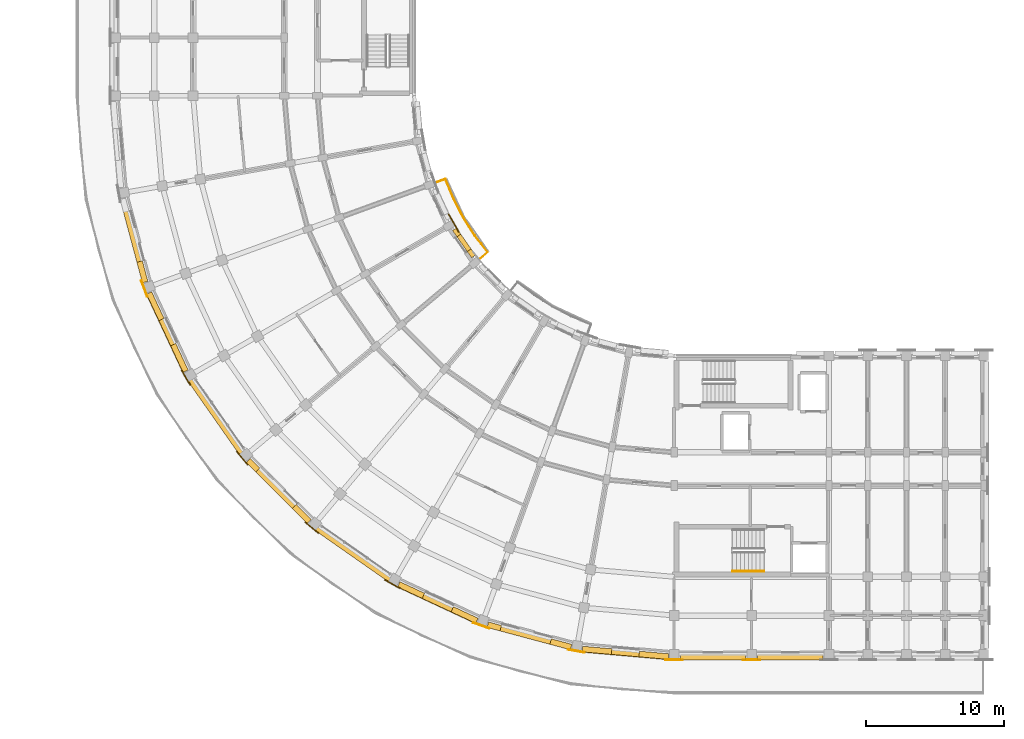
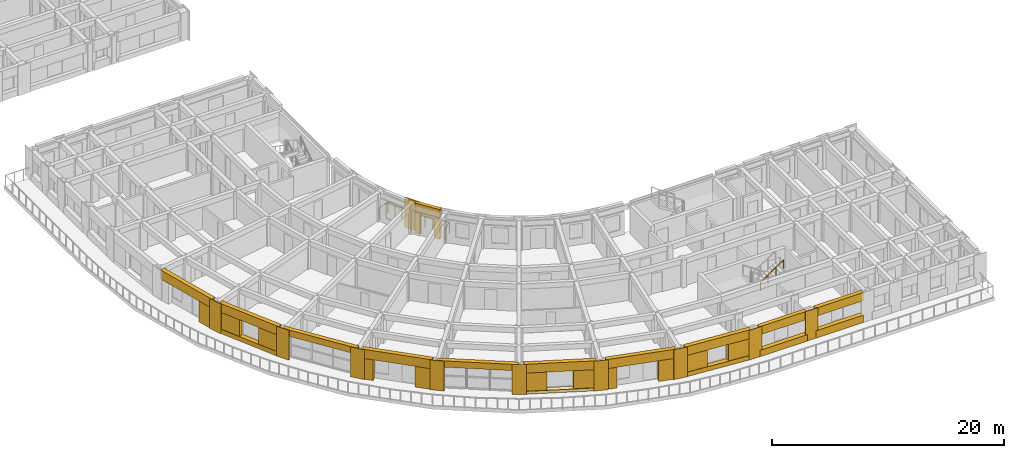
# One storey, part 39 of 57: 39 coverings, 2 railings.
"""IFC4 building model written with IfcOpenShell, lengths in metres."""

import ifcopenshell
import ifcopenshell.guid

model = None  # the IFC model being written
_history = None  # IfcOwnerHistory: only IFC2X3 demands one
_inside = {}  # id of a spatial element -> (the spatial element, [elements in it])
_under = {}  # id of a project, library or spatial element -> (it, [spatial elements below it])
_declared = {}  # id of a project -> (the project, [libraries it declares])
_typed = {}  # id of a type object -> (the type object, [elements of that type])
_made_of = {}  # id of a material, layer set ... -> (it, [elements and type objects made of it])


def new_model(schema):
    """Start an empty IFC model of exactly this schema.

    Asked for "IFC4X3", IfcOpenShell would pick the latest addendum, in which some entities
    have other attributes; the version numbers below select the first issue.
    IFC2X3 requires an IfcOwnerHistory on every rooted entity: one is made here for all.
    """
    global model, _history
    if schema == "IFC4X3":
        model = ifcopenshell.file(schema_version=(4, 3, 0, 0))
    else:
        model = ifcopenshell.file(schema=schema)
    _inside.clear()
    _under.clear()
    _declared.clear()
    _typed.clear()
    _made_of.clear()
    _history = None
    if model.schema == "IFC2X3":
        org = make("IfcOrganization", Name="unknown")
        user = make(
            "IfcPersonAndOrganization",
            ThePerson=make("IfcPerson", FamilyName="unknown"),
            TheOrganization=org,
        )
        app = make(
            "IfcApplication",
            ApplicationDeveloper=org,
            Version="unknown",
            ApplicationFullName="unknown",
            ApplicationIdentifier="unknown",
        )
        _history = make(
            "IfcOwnerHistory",
            OwningUser=user,
            OwningApplication=app,
            ChangeAction="ADDED",
            CreationDate=0,
        )
    return model


def make(cls, **values):
    """One entity of the class cls with the attributes given. An attribute that is None is left unset."""
    return model.create_entity(
        cls, **{name: value for name, value in values.items() if value is not None}
    )


def rooted(cls, **values):
    """An entity with a GlobalId (a new one), such as an element, a storey or a relation."""
    return make(cls, GlobalId=ifcopenshell.guid.new(), OwnerHistory=_history, **values)


def si_unit(unit_type, name, prefix=None):
    """IfcSIUnit, for example si_unit("LENGTHUNIT", "METRE", prefix="MILLI")."""
    return make("IfcSIUnit", UnitType=unit_type, Prefix=prefix, Name=name)


def assignment(units):
    """IfcUnitAssignment: the units of a project."""
    return None if units is None else make("IfcUnitAssignment", Units=units)


def point(xyz):
    """IfcCartesianPoint."""
    return None if xyz is None else make("IfcCartesianPoint", Coordinates=xyz)


def direction(xyz):
    """IfcDirection."""
    return None if xyz is None else make("IfcDirection", DirectionRatios=xyz)


def frame(location, z_axis=None, x_axis=None):
    """IfcAxis2Placement3D, a coordinate frame: its origin and axes. An axis left out is left unset."""
    return make(
        "IfcAxis2Placement3D",
        Location=point(location),
        Axis=direction(z_axis),
        RefDirection=direction(x_axis),
    )


def frame_2d(location, x_axis=None):
    """IfcAxis2Placement2D, a coordinate frame in the plane: its origin and x axis."""
    return make(
        "IfcAxis2Placement2D", Location=point(location), RefDirection=direction(x_axis)
    )


def origin():
    """The frame at (0, 0, 0) with its axes left unset."""
    return frame((0.0, 0.0, 0.0))


def origin_2d():
    """The frame at (0, 0) in the plane with its x axis left unset."""
    return frame_2d((0.0, 0.0))


def place(relative_to, where):
    """IfcLocalPlacement: puts the frame where relative to a parent placement (None: the world)."""
    return make(
        "IfcLocalPlacement", PlacementRelTo=relative_to, RelativePlacement=where
    )


def context(
    kind, dimensions, precision=None, world=None, true_north=None, identifier=None
):
    """IfcGeometricRepresentationContext, for example the 3D "Model" context."""
    return make(
        "IfcGeometricRepresentationContext",
        ContextIdentifier=identifier,
        ContextType=kind,
        CoordinateSpaceDimension=dimensions,
        Precision=precision,
        WorldCoordinateSystem=world,
        TrueNorth=true_north,
    )


def subcontext(parent, identifier, kind, view, scale=None):
    """IfcGeometricRepresentationSubContext, for example "Body" below "Model"."""
    return make(
        "IfcGeometricRepresentationSubContext",
        ContextIdentifier=identifier,
        ContextType=kind,
        ParentContext=parent,
        TargetScale=scale,
        TargetView=view,
    )


def project(units=None, contexts=None):
    """IfcProject with its units and contexts."""
    return rooted(
        "IfcProject",
        Name="project",
        RepresentationContexts=contexts,
        UnitsInContext=assignment(units),
    )


def spatial(cls, under=None, at=None, **own):
    """A site, building, storey or space (cls), placed at a placement, below another one or the project."""
    s = rooted(cls, ObjectPlacement=at, **own)
    if under is not None:
        _under.setdefault(under.id(), (under, []))[1].append(s)
    return s


def polyline(points):
    """IfcPolyline through the points."""
    return make("IfcPolyline", Points=[point(p) for p in points])


def profile(cls, at=None, kind="AREA", **sizes):
    """A parametric profile (cls). Its sizes go by their IFC names, for example OverallWidth=200.0."""
    return make(cls, ProfileType=kind, Position=at, **sizes)


def circle(**sizes):
    """IfcCircleProfileDef."""
    return profile("IfcCircleProfileDef", **sizes)


def outline(outer, holes=None, kind="AREA"):
    """IfcArbitraryClosedProfileDef: a profile drawn as a closed curve; with holes, ...WithVoids."""
    if holes is None:
        return make("IfcArbitraryClosedProfileDef", ProfileType=kind, OuterCurve=outer)
    return make(
        "IfcArbitraryProfileDefWithVoids",
        ProfileType=kind,
        OuterCurve=outer,
        InnerCurves=holes,
    )


def extrude(swept, where, along, depth):
    """IfcExtrudedAreaSolid: the profile swept, set in the frame where, extruded along a direction by depth."""
    return make(
        "IfcExtrudedAreaSolid",
        SweptArea=swept,
        Position=where,
        ExtrudedDirection=direction(along),
        Depth=depth,
    )


def shape(context_of_items, identifier, shape_type, items):
    """IfcShapeRepresentation: the items that make up one representation, for example the "Body"."""
    return make(
        "IfcShapeRepresentation",
        ContextOfItems=context_of_items,
        RepresentationIdentifier=identifier,
        RepresentationType=shape_type,
        Items=items,
    )


def material(Name=None, Category=None):
    """IfcMaterial."""
    return make("IfcMaterial", Name=Name, Category=Category)


def layer(
    of_material, thickness, ventilated=None, Name=None, Category=None, Priority=None
):
    """IfcMaterialLayer: one layer of a wall or slab, of a material (None: an air gap)."""
    return make(
        "IfcMaterialLayer",
        Material=of_material,
        LayerThickness=thickness,
        IsVentilated=ventilated,
        Name=Name,
        Category=Category,
        Priority=Priority,
    )


def layer_set(layers, Name=None):
    """IfcMaterialLayerSet."""
    return make("IfcMaterialLayerSet", MaterialLayers=layers, LayerSetName=Name)


def made_of(thing, what):
    """Note that an element or type object is made of a material, layer set ...; save() writes the relation."""
    if what is not None:
        _made_of.setdefault(what.id(), (what, []))[1].append(thing)
    return thing


def type_object(cls, material=None, **own):
    """A type object (cls), such as IfcWallType, which elements share."""
    return made_of(rooted(cls, **own), material)


def element(
    cls,
    number,
    at=None,
    inside=None,
    cuts=None,
    type_object=None,
    material=None,
    context=None,
    identifier="Body",
    shape_type=None,
    held_by="IfcProductDefinitionShape",
    body=None,
    shapes=None,
    **own,
):
    """One element of the class cls, such as IfcWall. Its Tag is "e" and its number.

    at: its placement. inside: the storey or other place that contains it. cuts: it is an
    opening in that element (IfcRelVoidsElement). A single representation is given by context,
    identifier, shape_type and body (its items); several are given by shapes. held_by: the class
    of the entity that holds the representations. save() writes the other relations.
    """
    e = rooted(cls, Tag="e%d" % number, ObjectPlacement=at, **own)
    if body is not None:
        shapes = [shape(context, identifier, shape_type, body)]
    if shapes is not None:
        e.Representation = make(held_by, Representations=shapes)
    if inside is not None:
        _inside.setdefault(inside.id(), (inside, []))[1].append(e)
    if cuts is not None:
        rooted(
            "IfcRelVoidsElement", RelatingBuildingElement=cuts, RelatedOpeningElement=e
        )
    if type_object is not None:
        _typed.setdefault(type_object.id(), (type_object, []))[1].append(e)
    return made_of(e, material)


def aggregate(whole, parts):
    """IfcRelAggregates: a whole, such as a stair, and the parts it consists of."""
    return rooted("IfcRelAggregates", RelatingObject=whole, RelatedObjects=parts)


def save(model, path):
    """Write the relations noted so far, then the file.

    IfcRelAggregates (storeys below a building ...), IfcRelContainedInSpatialStructure (elements
    in a storey), IfcRelDefinesByType, IfcRelAssociatesMaterial and IfcRelDeclares: one each for
    every whole, place, type object, material and project.
    """
    for whole, parts in _under.values():
        aggregate(whole, parts)
    for where, things in _inside.values():
        rooted(
            "IfcRelContainedInSpatialStructure",
            RelatedElements=things,
            RelatingStructure=where,
        )
    for kind, things in _typed.values():
        rooted("IfcRelDefinesByType", RelatedObjects=things, RelatingType=kind)
    for what, things in _made_of.values():
        rooted("IfcRelAssociatesMaterial", RelatedObjects=things, RelatingMaterial=what)
    for by, libraries in _declared.values():
        rooted("IfcRelDeclares", RelatingContext=by, RelatedDefinitions=libraries)
    model.write(path)


model = new_model("IFC4")

# Units and contexts
model_context = context("Model", 3, precision=1e-05, world=origin(), true_north=direction((0.0, 1.0)))
body_context = subcontext(model_context, "Body", "Model", "MODEL_VIEW")
ifc_project = project(units=[si_unit("LENGTHUNIT", "METRE"), si_unit("AREAUNIT", "SQUARE_METRE"), si_unit("VOLUMEUNIT", "CUBIC_METRE"), si_unit("PLANEANGLEUNIT", "RADIAN"), si_unit("MASSUNIT", "GRAM", prefix="KILO")], contexts=[model_context])

# Site, building, storey
site_placement = place(None, origin())
site = spatial("IfcSite", under=ifc_project, at=site_placement, CompositionType="ELEMENT")
building_placement = place(site_placement, origin())
building = spatial("IfcBuilding", under=site, at=building_placement, Name="Kiranvali Square Residences", CompositionType="ELEMENT")
storey_placement = place(building_placement, frame((0.0, 0.0, 24.449951171875)))
storey = spatial("IfcBuildingStorey", under=building, at=storey_placement, Name="L07", CompositionType="ELEMENT", Elevation=24.449951171875)

# Coverings
ifc_material_1 = material(Name="Honed Porbandar limestone ashlar facade cladding", Category="masonry")
ifc_layer_1 = layer(ifc_material_1, 0.3798828125)
ifc_layer_set_1 = layer_set([ifc_layer_1], Name="Honed Porbandar limestone ashlar facade cladding")
covering_type_1 = type_object("IfcCoveringType", Name="COV-CLAD-JAMB", PredefinedType="CLADDING", material=ifc_layer_set_1)
covering_1_placement = place(storey_placement, frame((0.0, 0.0, 0.462158203125)))
element("IfcCovering", 1, at=covering_1_placement, inside=storey, type_object=covering_type_1, Name="L07 deep limestone window jamb reveal C-L07-CRV-00.L", PredefinedType="CLADDING", context=body_context, shape_type="SweptSolid", body=[
    extrude(outline(polyline([(47.801513671875, 7.83447265625), (45.6884765625, 8.019287109375), (45.65283203125, 7.611328125), (47.765869140625, 7.426513671875), (47.801513671875, 7.83447265625)])), origin(), (0.0, 0.0, 1.0), 1.75),
])
covering_2_placement = place(storey_placement, frame((0.0, 0.0, 0.462158203125)))
element("IfcCovering", 2, at=covering_2_placement, inside=storey, type_object=covering_type_1, Name="L07 deep limestone window jamb reveal C-L07-CRV-00.R", PredefinedType="CLADDING", context=body_context, shape_type="SweptSolid", body=[
    extrude(outline(polyline([(43.696044921875, 8.193603515625), (41.5830078125, 8.37841796875), (41.54736328125, 7.970458984375), (43.660400390625, 7.78564453125), (43.696044921875, 8.193603515625)])), origin(), (0.0, 0.0, 1.0), 1.75),
])
covering_3_placement = place(storey_placement, origin())
element("IfcCovering", 3, at=covering_3_placement, inside=storey, type_object=covering_type_1, Name="L07 deep limestone window jamb reveal C-L07-CRV-01.L", PredefinedType="CLADDING", context=body_context, shape_type="SweptSolid", body=[
    extrude(outline(polyline([(40.798095703125, 8.516845703125), (39.315673828125, 8.9140625), (39.209716796875, 8.5185546875), (40.692138671875, 8.121337890625), (40.798095703125, 8.516845703125)])), origin(), (0.0, 0.0, 1.0), 2.179931640625),
])
covering_4_placement = place(storey_placement, origin())
element("IfcCovering", 4, at=covering_4_placement, inside=storey, type_object=covering_type_1, Name="L07 deep limestone window jamb reveal C-L07-CRV-01.R", PredefinedType="CLADDING", context=body_context, shape_type="SweptSolid", body=[
    extrude(outline(polyline([(35.70849609375, 9.880615234375), (34.7685546875, 10.13232421875), (34.66259765625, 9.73681640625), (35.6025390625, 9.485107421875), (35.70849609375, 9.880615234375)])), origin(), (0.0, 0.0, 1.0), 2.179931640625),
])
covering_5_placement = place(storey_placement, frame((0.0, 0.0, 0.31201171875)))
element("IfcCovering", 5, at=covering_5_placement, inside=storey, type_object=covering_type_1, Name="L07 deep limestone window jamb reveal C-L07-CRV-02.L", PredefinedType="CLADDING", context=body_context, shape_type="SweptSolid", body=[
    extrude(outline(polyline([(34.01953125, 10.405029296875), (32.233154296875, 11.238037109375), (32.06005859375, 10.866943359375), (33.8466796875, 10.033935546875), (34.01953125, 10.405029296875)])), origin(), (0.0, 0.0, 1.0), 1.900146484375),
])
covering_6_placement = place(storey_placement, frame((0.0, 0.0, 0.31201171875)))
element("IfcCovering", 6, at=covering_6_placement, inside=storey, type_object=covering_type_1, Name="L07 deep limestone window jamb reveal C-L07-CRV-02.R", PredefinedType="CLADDING", context=body_context, shape_type="SweptSolid", body=[
    extrude(outline(polyline([(30.148681640625, 12.2099609375), (28.3623046875, 13.04296875), (28.189208984375, 12.671875), (29.9755859375, 11.8388671875), (30.148681640625, 12.2099609375)])), origin(), (0.0, 0.0, 1.0), 1.900146484375),
])
covering_7_placement = place(storey_placement, origin())
element("IfcCovering", 7, at=covering_7_placement, inside=storey, type_object=covering_type_1, Name="L07 deep limestone window jamb reveal C-L07-CRV-04.L", PredefinedType="CLADDING", context=body_context, shape_type="SweptSolid", body=[
    extrude(outline(polyline([(21.9482421875, 17.5341796875), (20.863037109375, 18.61962890625), (20.573486328125, 18.330078125), (21.65869140625, 17.24462890625), (21.9482421875, 17.5341796875)])), origin(), (0.0, 0.0, 1.0), 2.179931640625),
])
covering_8_placement = place(storey_placement, origin())
element("IfcCovering", 8, at=covering_8_placement, inside=storey, type_object=covering_type_1, Name="L07 deep limestone window jamb reveal C-L07-CRV-04.R", PredefinedType="CLADDING", context=body_context, shape_type="SweptSolid", body=[
    extrude(outline(polyline([(18.22216796875, 21.26025390625), (17.5341796875, 21.9482421875), (17.24462890625, 21.65869140625), (17.9326171875, 20.970703125), (18.22216796875, 21.26025390625)])), origin(), (0.0, 0.0, 1.0), 2.179931640625),
])
covering_9_placement = place(storey_placement, frame((0.0, 0.0, 0.462158203125)))
element("IfcCovering", 9, at=covering_9_placement, inside=storey, type_object=covering_type_1, Name="L07 deep limestone window jamb reveal C-L07-CRV-06.L", PredefinedType="CLADDING", context=body_context, shape_type="SweptSolid", body=[
    extrude(outline(polyline([(13.04296875, 28.3623046875), (12.146728515625, 30.28466796875), (11.775634765625, 30.111572265625), (12.671875, 28.189208984375), (13.04296875, 28.3623046875)])), origin(), (0.0, 0.0, 1.0), 1.75),
])
covering_10_placement = place(storey_placement, frame((0.0, 0.0, 0.462158203125)))
element("IfcCovering", 10, at=covering_10_placement, inside=storey, type_object=covering_type_1, Name="L07 deep limestone window jamb reveal C-L07-CRV-06.R", PredefinedType="CLADDING", context=body_context, shape_type="SweptSolid", body=[
    extrude(outline(polyline([(11.301513671875, 32.09716796875), (10.405029296875, 34.01953125), (10.033935546875, 33.8466796875), (10.93017578125, 31.92431640625), (11.301513671875, 32.09716796875)])), origin(), (0.0, 0.0, 1.0), 1.75),
])
covering_11_placement = place(storey_placement, origin())
element("IfcCovering", 11, at=covering_11_placement, inside=storey, type_object=covering_type_1, Name="L07 deep limestone window jamb reveal C-L07-CRV-07.L", PredefinedType="CLADDING", context=body_context, shape_type="SweptSolid", body=[
    extrude(outline(polyline([(10.13232421875, 34.7685546875), (9.735107421875, 36.251220703125), (9.339599609375, 36.14501953125), (9.73681640625, 34.66259765625), (10.13232421875, 34.7685546875)])), origin(), (0.0, 0.0, 1.0), 2.179931640625),
])
covering_12_placement = place(storey_placement, origin())
element("IfcCovering", 12, at=covering_12_placement, inside=storey, type_object=covering_type_1, Name="L07 deep limestone window jamb reveal C-L07-GDN-05.L", PredefinedType="CLADDING", context=body_context, shape_type="SweptSolid", body=[
    extrude(outline(polyline([(33.824462890625, 36.671142578125), (33.509765625, 37.120361328125), (33.231689453125, 36.925537109375), (33.54638671875, 36.476318359375), (33.824462890625, 36.671142578125)])), origin(), (0.0, 0.0, 1.0), 2.179931640625),
])
covering_13_placement = place(storey_placement, origin())
element("IfcCovering", 13, at=covering_13_placement, inside=storey, type_object=covering_type_1, Name="L07 deep limestone window jamb reveal C-L07-GDN-05.R", PredefinedType="CLADDING", context=body_context, shape_type="SweptSolid", body=[
    extrude(outline(polyline([(32.76416015625, 38.185302734375), (32.44970703125, 38.634521484375), (32.171630859375, 38.43994140625), (32.486083984375, 37.990478515625), (32.76416015625, 38.185302734375)])), origin(), (0.0, 0.0, 1.0), 2.179931640625),
])
ifc_layer_2 = layer(ifc_material_1, 0.06494140625)
ifc_layer_set_2 = layer_set([ifc_layer_2], Name="Honed Porbandar limestone ashlar facade cladding")
covering_type_2 = type_object("IfcCoveringType", Name="COV-CLAD-PIER", PredefinedType="CLADDING", material=ifc_layer_set_2)
covering_14_placement = place(storey_placement, frame((0.0, 0.0, 0.005126953125)))
element("IfcCovering", 14, at=covering_14_placement, inside=storey, type_object=covering_type_2, Name="L07 Classical limestone corner pilaster CLAD-PR-C-L07-A00", PredefinedType="CLADDING", context=body_context, shape_type="SweptSolid", body=[
    extrude(outline(polyline([(47.570068359375, 7.382080078125), (48.830078125, 7.382080078125), (48.830078125, 7.449462890625), (47.570068359375, 7.449462890625), (47.570068359375, 7.382080078125)])), origin(), (0.0, 0.0, 1.0), 3.139892578125),
])
covering_15_placement = place(storey_placement, frame((0.0, 0.0, 0.005126953125)))
element("IfcCovering", 15, at=covering_15_placement, inside=storey, type_object=covering_type_2, Name="L07 Classical limestone corner pilaster CLAD-PR-C-L07-A01", PredefinedType="CLADDING", context=body_context, shape_type="SweptSolid", body=[
    extrude(outline(polyline([(40.49169921875, 8.111572265625), (41.732421875, 7.892822265625), (41.744140625, 7.959228515625), (40.50341796875, 8.177978515625), (40.49169921875, 8.111572265625)])), origin(), (0.0, 0.0, 1.0), 3.139892578125),
])
covering_16_placement = place(storey_placement, frame((0.0, 0.0, 0.005126953125)))
element("IfcCovering", 16, at=covering_16_placement, inside=storey, type_object=covering_type_2, Name="L07 Classical limestone corner pilaster CLAD-PR-C-L07-A02", PredefinedType="CLADDING", context=body_context, shape_type="SweptSolid", body=[
    extrude(outline(polyline([(33.6474609375, 10.05908203125), (34.83154296875, 9.628173828125), (34.8544921875, 9.691650390625), (33.67041015625, 10.12255859375), (33.6474609375, 10.05908203125)])), origin(), (0.0, 0.0, 1.0), 3.139892578125),
])
covering_17_placement = place(storey_placement, frame((0.0, 0.0, 0.005126953125)))
element("IfcCovering", 17, at=covering_17_placement, inside=storey, type_object=covering_type_2, Name="L07 Classical limestone corner pilaster CLAD-PR-C-L07-A03", PredefinedType="CLADDING", context=body_context, shape_type="SweptSolid", body=[
    extrude(outline(polyline([(27.245361328125, 13.16552734375), (28.336669921875, 12.53564453125), (28.370361328125, 12.593994140625), (27.279052734375, 13.22412109375), (27.245361328125, 13.16552734375)])), origin(), (0.0, 0.0, 1.0), 3.139892578125),
])
covering_18_placement = place(storey_placement, frame((0.0, 0.0, 0.005126953125)))
element("IfcCovering", 18, at=covering_18_placement, inside=storey, type_object=covering_type_2, Name="L07 Classical limestone corner pilaster CLAD-PR-C-L07-A04", PredefinedType="CLADDING", context=body_context, shape_type="SweptSolid", body=[
    extrude(outline(polyline([(21.47998046875, 17.336669921875), (22.4453125, 16.526611328125), (22.48876953125, 16.578369140625), (21.5234375, 17.38818359375), (21.47998046875, 17.336669921875)])), origin(), (0.0, 0.0, 1.0), 3.139892578125),
])
covering_19_placement = place(storey_placement, frame((0.0, 0.0, 0.005126953125)))
element("IfcCovering", 19, at=covering_19_placement, inside=storey, type_object=covering_type_2, Name="L07 Classical limestone corner pilaster CLAD-PR-C-L07-A05", PredefinedType="CLADDING", context=body_context, shape_type="SweptSolid", body=[
    extrude(outline(polyline([(16.526611328125, 22.4453125), (17.336669921875, 21.47998046875), (17.38818359375, 21.5234375), (16.578369140625, 22.48876953125), (16.526611328125, 22.4453125)])), origin(), (0.0, 0.0, 1.0), 3.139892578125),
])
covering_20_placement = place(storey_placement, frame((0.0, 0.0, 0.005126953125)))
element("IfcCovering", 20, at=covering_20_placement, inside=storey, type_object=covering_type_2, Name="L07 Classical limestone corner pilaster CLAD-PR-C-L07-A06", PredefinedType="CLADDING", context=body_context, shape_type="SweptSolid", body=[
    extrude(outline(polyline([(12.53564453125, 28.336669921875), (13.16552734375, 27.245361328125), (13.22412109375, 27.279052734375), (12.593994140625, 28.370361328125), (12.53564453125, 28.336669921875)])), origin(), (0.0, 0.0, 1.0), 3.139892578125),
])
covering_21_placement = place(storey_placement, frame((0.0, 0.0, 0.005126953125)))
element("IfcCovering", 21, at=covering_21_placement, inside=storey, type_object=covering_type_2, Name="L07 Classical limestone corner pilaster CLAD-PR-C-L07-A07", PredefinedType="CLADDING", context=body_context, shape_type="SweptSolid", body=[
    extrude(outline(polyline([(9.628173828125, 34.83154296875), (10.05908203125, 33.6474609375), (10.12255859375, 33.67041015625), (9.691650390625, 34.8544921875), (9.628173828125, 34.83154296875)])), origin(), (0.0, 0.0, 1.0), 3.139892578125),
])
covering_22_placement = place(storey_placement, frame((0.0, 0.0, 0.005126953125)))
element("IfcCovering", 22, at=covering_22_placement, inside=storey, type_object=covering_type_2, Name="L07 Classical limestone pilaster casing CLAD-PR-C-L07-U56", PredefinedType="CLADDING", context=body_context, shape_type="SweptSolid", body=[
    extrude(outline(polyline([(53.169921875, 7.382080078125), (54.429931640625, 7.382080078125), (54.429931640625, 7.449462890625), (53.169921875, 7.449462890625), (53.169921875, 7.382080078125)])), origin(), (0.0, 0.0, 1.0), 3.139892578125),
])
ifc_layer_3 = layer(ifc_material_1, 0.050048828125)
ifc_layer_set_3 = layer_set([ifc_layer_3], Name="Honed Porbandar limestone ashlar facade cladding")
covering_type_3 = type_object("IfcCoveringType", Name="COV-CLAD-PIER-IN", PredefinedType="CLADDING", material=ifc_layer_set_3)
covering_23_placement = place(storey_placement, frame((0.0, 0.0, 0.005126953125)))
element("IfcCovering", 23, at=covering_23_placement, inside=storey, type_object=covering_type_3, Name="L07 Classical garden courtyard pilaster CLAD-PRIN-C-L07-A06", PredefinedType="CLADDING", context=body_context, shape_type="SweptSolid", body=[
    extrude(outline(polyline([(32.65576171875, 38.359375), (31.90576171875, 39.658447265625), (31.84716796875, 39.624755859375), (32.59716796875, 38.32568359375), (32.65576171875, 38.359375)])), origin(), (0.0, 0.0, 1.0), 3.139892578125),
])
ifc_layer_4 = layer(ifc_material_1, 0.360107421875)
ifc_layer_set_4 = layer_set([ifc_layer_4], Name="Honed Porbandar limestone ashlar facade cladding")
covering_type_4 = type_object("IfcCoveringType", Name="COV-CLAD-WALL", PredefinedType="CLADDING", material=ifc_layer_set_4)
covering_24_placement = place(storey_placement, frame((0.0, 0.0, 2.212158203125)))
element("IfcCovering", 24, at=covering_24_placement, inside=storey, type_object=covering_type_4, Name="L07 light limestone spandrel lintel C-L07-CRV-00", PredefinedType="CLADDING", context=body_context, shape_type="SweptSolid", body=[
    extrude(outline(polyline([(47.801513671875, 7.83447265625), (41.5830078125, 8.37841796875), (41.54736328125, 7.970458984375), (47.765869140625, 7.426513671875), (47.801513671875, 7.83447265625)])), origin(), (0.0, 0.0, 1.0), 0.932861328125),
])
covering_25_placement = place(storey_placement, frame((0.0, 0.0, 0.005126953125)))
element("IfcCovering", 25, at=covering_25_placement, inside=storey, type_object=covering_type_4, Name="L07 limestone window sill apron C-L07-CRV-00", PredefinedType="CLADDING", context=body_context, shape_type="SweptSolid", body=[
    extrude(outline(polyline([(47.801513671875, 7.83447265625), (41.5830078125, 8.37841796875), (41.544677734375, 7.940673828125), (47.76318359375, 7.396484375), (47.801513671875, 7.83447265625)])), origin(), (0.0, 0.0, 1.0), 0.45703125),
])
covering_26_placement = place(storey_placement, frame((0.0, 0.0, 2.179931640625)))
element("IfcCovering", 26, at=covering_26_placement, inside=storey, type_object=covering_type_4, Name="L07 light limestone spandrel lintel C-L07-CRV-01", PredefinedType="CLADDING", context=body_context, shape_type="SweptSolid", body=[
    extrude(outline(polyline([(40.798095703125, 8.516845703125), (34.7685546875, 10.13232421875), (34.66259765625, 9.73681640625), (40.692138671875, 8.121337890625), (40.798095703125, 8.516845703125)])), origin(), (0.0, 0.0, 1.0), 0.965087890625),
])
covering_27_placement = place(storey_placement, frame((0.0, 0.0, 2.212158203125)))
element("IfcCovering", 27, at=covering_27_placement, inside=storey, type_object=covering_type_4, Name="L07 light limestone spandrel lintel C-L07-CRV-02", PredefinedType="CLADDING", context=body_context, shape_type="SweptSolid", body=[
    extrude(outline(polyline([(34.01953125, 10.405029296875), (28.3623046875, 13.04296875), (28.189208984375, 12.671875), (33.8466796875, 10.033935546875), (34.01953125, 10.405029296875)])), origin(), (0.0, 0.0, 1.0), 0.932861328125),
])
covering_28_placement = place(storey_placement, frame((0.0, 0.0, 0.005126953125)))
element("IfcCovering", 28, at=covering_28_placement, inside=storey, type_object=covering_type_4, Name="L07 limestone window sill apron C-L07-CRV-02", PredefinedType="CLADDING", context=body_context, shape_type="SweptSolid", body=[
    extrude(outline(polyline([(34.01953125, 10.405029296875), (28.3623046875, 13.04296875), (28.176513671875, 12.644775390625), (33.833984375, 10.006591796875), (34.01953125, 10.405029296875)])), origin(), (0.0, 0.0, 1.0), 0.306884765625),
])
covering_29_placement = place(storey_placement, frame((0.0, 0.0, 2.47998046875)))
element("IfcCovering", 29, at=covering_29_placement, inside=storey, type_object=covering_type_4, Name="Block C L07 limestone terrace header 4", PredefinedType="CLADDING", context=body_context, shape_type="SweptSolid", body=[
    extrude(outline(polyline([(27.998779296875, 13.2109375), (22.230224609375, 17.250244140625), (21.99609375, 16.916015625), (27.764892578125, 12.876708984375), (27.998779296875, 13.2109375)])), origin(), (0.0, 0.0, 1.0), 0.6650390625),
])
covering_30_placement = place(storey_placement, frame((0.0, 0.0, 2.179931640625)))
element("IfcCovering", 30, at=covering_30_placement, inside=storey, type_object=covering_type_4, Name="L07 light limestone spandrel lintel C-L07-CRV-04", PredefinedType="CLADDING", context=body_context, shape_type="SweptSolid", body=[
    extrude(outline(polyline([(21.9482421875, 17.5341796875), (17.5341796875, 21.9482421875), (17.24462890625, 21.65869140625), (21.65869140625, 17.24462890625), (21.9482421875, 17.5341796875)])), origin(), (0.0, 0.0, 1.0), 0.965087890625),
])
covering_31_placement = place(storey_placement, frame((0.0, 0.0, 2.47998046875)))
element("IfcCovering", 31, at=covering_31_placement, inside=storey, type_object=covering_type_4, Name="Block C L07 limestone terrace header 6", PredefinedType="CLADDING", context=body_context, shape_type="SweptSolid", body=[
    extrude(outline(polyline([(17.250244140625, 22.230224609375), (13.2109375, 27.998779296875), (12.876708984375, 27.764892578125), (16.916015625, 21.99609375), (17.250244140625, 22.230224609375)])), origin(), (0.0, 0.0, 1.0), 0.6650390625),
])
covering_32_placement = place(storey_placement, frame((0.0, 0.0, 2.212158203125)))
element("IfcCovering", 32, at=covering_32_placement, inside=storey, type_object=covering_type_4, Name="L07 light limestone spandrel lintel C-L07-CRV-06", PredefinedType="CLADDING", context=body_context, shape_type="SweptSolid", body=[
    extrude(outline(polyline([(13.04296875, 28.3623046875), (10.405029296875, 34.01953125), (10.033935546875, 33.8466796875), (12.671875, 28.189208984375), (13.04296875, 28.3623046875)])), origin(), (0.0, 0.0, 1.0), 0.932861328125),
])
covering_33_placement = place(storey_placement, frame((0.0, 0.0, 0.005126953125)))
element("IfcCovering", 33, at=covering_33_placement, inside=storey, type_object=covering_type_4, Name="L07 limestone window sill apron C-L07-CRV-06", PredefinedType="CLADDING", context=body_context, shape_type="SweptSolid", body=[
    extrude(outline(polyline([(13.04296875, 28.3623046875), (10.405029296875, 34.01953125), (10.006591796875, 33.833984375), (12.644775390625, 28.176513671875), (13.04296875, 28.3623046875)])), origin(), (0.0, 0.0, 1.0), 0.45703125),
])
covering_34_placement = place(storey_placement, frame((0.0, 0.0, 2.179931640625)))
element("IfcCovering", 34, at=covering_34_placement, inside=storey, type_object=covering_type_4, Name="L07 light limestone spandrel lintel C-L07-CRV-07", PredefinedType="CLADDING", context=body_context, shape_type="SweptSolid", body=[
    extrude(outline(polyline([(10.13232421875, 34.7685546875), (8.516845703125, 40.798095703125), (8.121337890625, 40.692138671875), (9.73681640625, 34.66259765625), (10.13232421875, 34.7685546875)])), origin(), (0.0, 0.0, 1.0), 0.965087890625),
])
covering_35_placement = place(storey_placement, frame((0.0, 0.0, 2.179931640625)))
element("IfcCovering", 35, at=covering_35_placement, inside=storey, type_object=covering_type_4, Name="L07 light limestone spandrel lintel C-L07-GDN-05", PredefinedType="CLADDING", context=body_context, shape_type="SweptSolid", body=[
    extrude(outline(polyline([(33.824462890625, 36.671142578125), (32.44970703125, 38.634521484375), (32.171630859375, 38.43994140625), (33.54638671875, 36.476318359375), (33.824462890625, 36.671142578125)])), origin(), (0.0, 0.0, 1.0), 0.965087890625),
])
covering_36_placement = place(storey_placement, frame((0.0, 0.0, 2.280029296875)))
element("IfcCovering", 36, at=covering_36_placement, inside=storey, type_object=covering_type_4, Name="L07 light limestone spandrel lintel C-L07-A1O-0", PredefinedType="CLADDING", context=body_context, shape_type="SweptSolid", body=[
    extrude(outline(polyline([(48.639892578125, 7.39990234375), (53.360107421875, 7.39990234375), (53.360107421875, 7.799560546875), (48.639892578125, 7.799560546875), (48.639892578125, 7.39990234375)])), origin(), (0.0, 0.0, 1.0), 0.864990234375),
])
covering_37_placement = place(storey_placement, frame((0.0, 0.0, 0.005126953125)))
element("IfcCovering", 37, at=covering_37_placement, inside=storey, type_object=covering_type_4, Name="L07 limestone window sill apron C-L07-A1O-0", PredefinedType="CLADDING", context=body_context, shape_type="SweptSolid", body=[
    extrude(outline(polyline([(48.639892578125, 7.3701171875), (53.360107421875, 7.3701171875), (53.360107421875, 7.799560546875), (48.639892578125, 7.799560546875), (48.639892578125, 7.3701171875)])), origin(), (0.0, 0.0, 1.0), 0.6748046875),
])
covering_38_placement = place(storey_placement, frame((0.0, 0.0, 2.280029296875)))
element("IfcCovering", 38, at=covering_38_placement, inside=storey, type_object=covering_type_4, Name="L07 light limestone spandrel lintel C-L07-A1O-1", PredefinedType="CLADDING", context=body_context, shape_type="SweptSolid", body=[
    extrude(outline(polyline([(54.239990234375, 7.39990234375), (58.9599609375, 7.39990234375), (58.9599609375, 7.799560546875), (54.239990234375, 7.799560546875), (54.239990234375, 7.39990234375)])), origin(), (0.0, 0.0, 1.0), 0.864990234375),
])
covering_39_placement = place(storey_placement, frame((0.0, 0.0, 0.005126953125)))
element("IfcCovering", 39, at=covering_39_placement, inside=storey, type_object=covering_type_4, Name="L07 limestone window sill apron C-L07-A1O-1", PredefinedType="CLADDING", context=body_context, shape_type="SweptSolid", body=[
    extrude(outline(polyline([(54.239990234375, 7.3701171875), (58.9599609375, 7.3701171875), (58.9599609375, 7.799560546875), (54.239990234375, 7.799560546875), (54.239990234375, 7.3701171875)])), origin(), (0.0, 0.0, 1.0), 0.77490234375),
])

# Railings
ifc_material_2 = material(Name="Powder-coated architectural bronze balustrade", Category="steel")
railing_type_1 = type_object("IfcRailingType", Name="RL-BAL-GOLD-1200", PredefinedType="BALUSTRADE", material=ifc_material_2)
railing_1_placement = place(storey_placement, frame((33.8291015625, 36.141357421875, 0.0)))
element("IfcRailing", 40, at=railing_1_placement, inside=storey, type_object=railing_type_1, Name="Block C L07 garden balcony gold balustrade 2", PredefinedType="BALUSTRADE", context=body_context, shape_type="SweptSolid", body=[
    extrude(circle(Radius=0.02392578125, at=origin_2d()), frame((0.0, 0.0, 1.17578125), z_axis=(0.765989188314, 0.642853454051, 0.0), x_axis=(-0.642853454051, 0.765989188314, 0.0)), (0.0, 0.0, 1.0), 1.14990234375),
    extrude(circle(Radius=0.02392578125, at=origin_2d()), frame((0.880859375, 0.7392578125, 1.17578125), z_axis=(-0.608811807471, 0.793314680996, 0.0), x_axis=(-0.793314680996, -0.608811807471, 0.0)), (0.0, 0.0, 1.0), 1.536376953125),
    extrude(circle(Radius=0.02392578125, at=origin_2d()), frame((-0.054443359375, 1.9580078125, 1.17578125), z_axis=(-0.537307309343, 0.843386539688, 0.0), x_axis=(-0.843386539688, -0.537307309343, 0.0)), (0.0, 0.0, 1.0), 1.5361328125),
    extrude(circle(Radius=0.02392578125, at=origin_2d()), frame((-0.8798828125, 3.253662109375, 1.17578125), z_axis=(-0.461713009976, 0.887029366154, 0.0), x_axis=(-0.887029366154, -0.461713009976, 0.0)), (0.0, 0.0, 1.0), 1.5361328125),
    extrude(circle(Radius=0.02392578125, at=origin_2d()), frame((-1.589111328125, 4.6162109375, 1.17578125), z_axis=(-0.382651197843, 0.923892883829, 0.0), x_axis=(-0.923892883829, -0.382651197843, 0.0)), (0.0, 0.0, 1.0), 1.536376953125),
    extrude(circle(Radius=0.02392578125, at=origin_2d()), frame((-2.177001953125, 6.03564453125, 1.17578125), z_axis=(-0.939712828289, -0.341964618562, 0.0), x_axis=(0.341964618562, -0.939712828289, 0.0)), (0.0, 0.0, 1.0), 1.150146484375),
    extrude(circle(Radius=0.02099609375, at=origin_2d()), origin(), (0.0, 0.0, 1.0), 1.15185546875),
    extrude(circle(Radius=0.02099609375, at=origin_2d()), frame((0.880859375, 0.7392578125, 0.0)), (0.0, 0.0, 1.0), 1.15185546875),
    extrude(circle(Radius=0.02099609375, at=origin_2d()), frame((0.4130859375, 1.3486328125, 0.0)), (0.0, 0.0, 1.0), 1.15185546875),
    extrude(circle(Radius=0.02099609375, at=origin_2d()), frame((-0.054443359375, 1.9580078125, 0.0)), (0.0, 0.0, 1.0), 1.15185546875),
    extrude(circle(Radius=0.02099609375, at=origin_2d()), frame((-0.46728515625, 2.60595703125, 0.0)), (0.0, 0.0, 1.0), 1.15185546875),
    extrude(circle(Radius=0.02099609375, at=origin_2d()), frame((-0.8798828125, 3.253662109375, 0.0)), (0.0, 0.0, 1.0), 1.15185546875),
    extrude(circle(Radius=0.02099609375, at=origin_2d()), frame((-1.234375, 3.93505859375, 0.0)), (0.0, 0.0, 1.0), 1.15185546875),
    extrude(circle(Radius=0.02099609375, at=origin_2d()), frame((-1.589111328125, 4.6162109375, 0.0)), (0.0, 0.0, 1.0), 1.15185546875),
    extrude(circle(Radius=0.02099609375, at=origin_2d()), frame((-1.883056640625, 5.325927734375, 0.0)), (0.0, 0.0, 1.0), 1.15185546875),
    extrude(circle(Radius=0.02099609375, at=origin_2d()), frame((-2.177001953125, 6.03564453125, 0.0)), (0.0, 0.0, 1.0), 1.15185546875),
    extrude(circle(Radius=0.02099609375, at=origin_2d()), frame((-3.2578125, 5.642333984375, 0.0)), (0.0, 0.0, 1.0), 1.15185546875),
])
ifc_material_3 = material(Name="Brushed stainless steel tubular handrail", Category="steel")
railing_type_2 = type_object("IfcRailingType", Name="RL-HANDRAIL-900", PredefinedType="HANDRAIL", material=ifc_material_3)
railing_2_placement = place(storey_placement, frame((52.419921875, 13.800048828125, 1.75)))
element("IfcRailing", 41, at=railing_2_placement, inside=storey, type_object=railing_type_2, Name="L07 ST-C1 stair handrail 2", PredefinedType="HANDRAIL", context=body_context, shape_type="SweptSolid", body=[
    extrude(circle(Radius=0.02392578125, at=origin_2d()), frame((0.0, 0.0, 0.8759765625), z_axis=(0.82278801735, 0.0, 0.568348377763), x_axis=(0.0, 1.0, 0.0)), (0.0, 0.0, 1.0), 2.77099609375),
    extrude(circle(Radius=0.02099609375, at=origin_2d()), origin(), (0.0, 0.0, 1.0), 0.851806640625),
    extrude(circle(Radius=0.02099609375, at=origin_2d()), frame((0.760009765625, 0.0, 0.52490234375)), (0.0, 0.0, 1.0), 0.851806640625),
    extrude(circle(Radius=0.02099609375, at=origin_2d()), frame((1.52001953125, 0.0, 1.050048828125)), (0.0, 0.0, 1.0), 0.851806640625),
    extrude(circle(Radius=0.02099609375, at=origin_2d()), frame((2.280029296875, 0.0, 1.574951171875)), (0.0, 0.0, 1.0), 0.851806640625),
])

save(model, "model.ifc")
